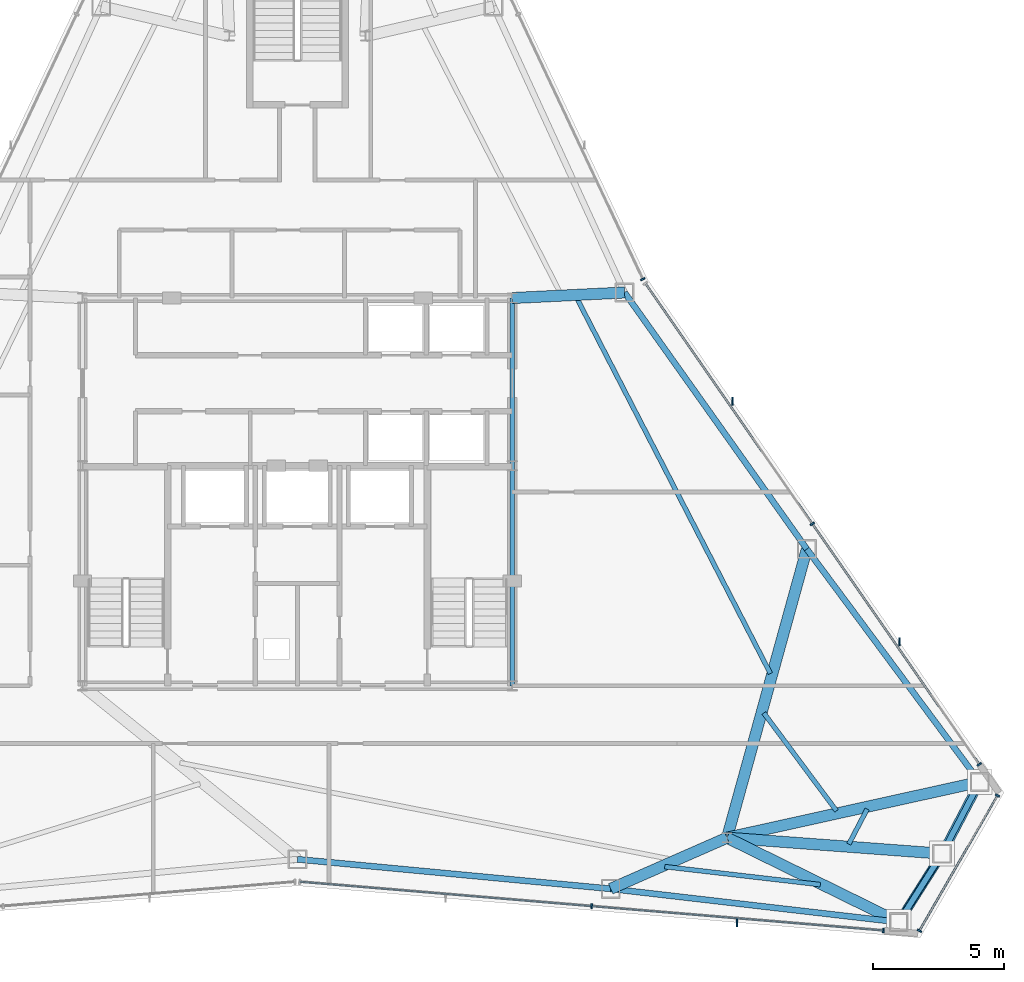
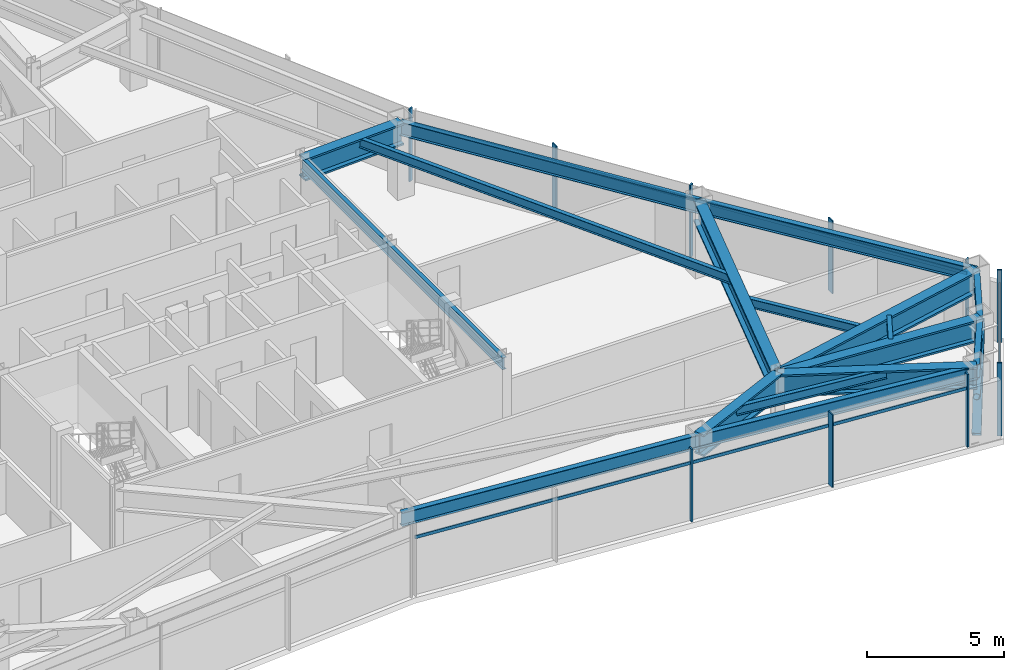
# One storey, part 6 of 12: 17 beams, 16 members, 4 elements without a shape of their own.
"""IFC4 building model written with IfcOpenShell, lengths in metres."""

import ifcopenshell
import ifcopenshell.guid

model = None  # the IFC model being written
_history = None  # IfcOwnerHistory: only IFC2X3 demands one
_inside = {}  # id of a spatial element -> (the spatial element, [elements in it])
_under = {}  # id of a project, library or spatial element -> (it, [spatial elements below it])
_declared = {}  # id of a project -> (the project, [libraries it declares])
_typed = {}  # id of a type object -> (the type object, [elements of that type])
_made_of = {}  # id of a material, layer set ... -> (it, [elements and type objects made of it])


def new_model(schema):
    """Start an empty IFC model of exactly this schema.

    Asked for "IFC4X3", IfcOpenShell would pick the latest addendum, in which some entities
    have other attributes; the version numbers below select the first issue.
    IFC2X3 requires an IfcOwnerHistory on every rooted entity: one is made here for all.
    """
    global model, _history
    if schema == "IFC4X3":
        model = ifcopenshell.file(schema_version=(4, 3, 0, 0))
    else:
        model = ifcopenshell.file(schema=schema)
    _inside.clear()
    _under.clear()
    _declared.clear()
    _typed.clear()
    _made_of.clear()
    _history = None
    if model.schema == "IFC2X3":
        org = make("IfcOrganization", Name="unknown")
        user = make(
            "IfcPersonAndOrganization",
            ThePerson=make("IfcPerson", FamilyName="unknown"),
            TheOrganization=org,
        )
        app = make(
            "IfcApplication",
            ApplicationDeveloper=org,
            Version="unknown",
            ApplicationFullName="unknown",
            ApplicationIdentifier="unknown",
        )
        _history = make(
            "IfcOwnerHistory",
            OwningUser=user,
            OwningApplication=app,
            ChangeAction="ADDED",
            CreationDate=0,
        )
    return model


def make(cls, **values):
    """One entity of the class cls with the attributes given. An attribute that is None is left unset."""
    return model.create_entity(
        cls, **{name: value for name, value in values.items() if value is not None}
    )


def rooted(cls, **values):
    """An entity with a GlobalId (a new one), such as an element, a storey or a relation."""
    return make(cls, GlobalId=ifcopenshell.guid.new(), OwnerHistory=_history, **values)


def si_unit(unit_type, name, prefix=None):
    """IfcSIUnit, for example si_unit("LENGTHUNIT", "METRE", prefix="MILLI")."""
    return make("IfcSIUnit", UnitType=unit_type, Prefix=prefix, Name=name)


def assignment(units):
    """IfcUnitAssignment: the units of a project."""
    return None if units is None else make("IfcUnitAssignment", Units=units)


def point(xyz):
    """IfcCartesianPoint."""
    return None if xyz is None else make("IfcCartesianPoint", Coordinates=xyz)


def direction(xyz):
    """IfcDirection."""
    return None if xyz is None else make("IfcDirection", DirectionRatios=xyz)


def frame(location, z_axis=None, x_axis=None):
    """IfcAxis2Placement3D, a coordinate frame: its origin and axes. An axis left out is left unset."""
    return make(
        "IfcAxis2Placement3D",
        Location=point(location),
        Axis=direction(z_axis),
        RefDirection=direction(x_axis),
    )


def frame_2d(location, x_axis=None):
    """IfcAxis2Placement2D, a coordinate frame in the plane: its origin and x axis."""
    return make(
        "IfcAxis2Placement2D", Location=point(location), RefDirection=direction(x_axis)
    )


def origin():
    """The frame at (0, 0, 0) with its axes left unset."""
    return frame((0.0, 0.0, 0.0))


def origin_2d():
    """The frame at (0, 0) in the plane with its x axis left unset."""
    return frame_2d((0.0, 0.0))


def place(relative_to, where):
    """IfcLocalPlacement: puts the frame where relative to a parent placement (None: the world)."""
    return make(
        "IfcLocalPlacement", PlacementRelTo=relative_to, RelativePlacement=where
    )


def context(
    kind, dimensions, precision=None, world=None, true_north=None, identifier=None
):
    """IfcGeometricRepresentationContext, for example the 3D "Model" context."""
    return make(
        "IfcGeometricRepresentationContext",
        ContextIdentifier=identifier,
        ContextType=kind,
        CoordinateSpaceDimension=dimensions,
        Precision=precision,
        WorldCoordinateSystem=world,
        TrueNorth=true_north,
    )


def subcontext(parent, identifier, kind, view, scale=None):
    """IfcGeometricRepresentationSubContext, for example "Body" below "Model"."""
    return make(
        "IfcGeometricRepresentationSubContext",
        ContextIdentifier=identifier,
        ContextType=kind,
        ParentContext=parent,
        TargetScale=scale,
        TargetView=view,
    )


def project(units=None, contexts=None):
    """IfcProject with its units and contexts."""
    return rooted(
        "IfcProject",
        Name="project",
        RepresentationContexts=contexts,
        UnitsInContext=assignment(units),
    )


def spatial(cls, under=None, at=None, **own):
    """A site, building, storey or space (cls), placed at a placement, below another one or the project."""
    s = rooted(cls, ObjectPlacement=at, **own)
    if under is not None:
        _under.setdefault(under.id(), (under, []))[1].append(s)
    return s


def profile(cls, at=None, kind="AREA", **sizes):
    """A parametric profile (cls). Its sizes go by their IFC names, for example OverallWidth=200.0."""
    return make(cls, ProfileType=kind, Position=at, **sizes)


def rectangle(**sizes):
    """IfcRectangleProfileDef."""
    return profile("IfcRectangleProfileDef", **sizes)


def hollow_rectangle(**sizes):
    """IfcRectangleHollowProfileDef."""
    return profile("IfcRectangleHollowProfileDef", **sizes)


def hollow_circle(**sizes):
    """IfcCircleHollowProfileDef."""
    return profile("IfcCircleHollowProfileDef", **sizes)


def i_section(**sizes):
    """IfcIShapeProfileDef."""
    return profile("IfcIShapeProfileDef", **sizes)


def extrude(swept, where, along, depth):
    """IfcExtrudedAreaSolid: the profile swept, set in the frame where, extruded along a direction by depth."""
    return make(
        "IfcExtrudedAreaSolid",
        SweptArea=swept,
        Position=where,
        ExtrudedDirection=direction(along),
        Depth=depth,
    )


def shape(context_of_items, identifier, shape_type, items):
    """IfcShapeRepresentation: the items that make up one representation, for example the "Body"."""
    return make(
        "IfcShapeRepresentation",
        ContextOfItems=context_of_items,
        RepresentationIdentifier=identifier,
        RepresentationType=shape_type,
        Items=items,
    )


def source(mapping_origin, context_of_items, identifier, shape_type, items):
    """IfcRepresentationMap: a shape defined once, which mapped items show again and again."""
    return make(
        "IfcRepresentationMap",
        MappingOrigin=mapping_origin,
        MappedRepresentation=shape(context_of_items, identifier, shape_type, items),
    )


def transform(
    local_origin,
    x_axis=None,
    y_axis=None,
    z_axis=None,
    scale=None,
    scale2=None,
    scale3=None,
    uniform=True,
):
    """IfcCartesianTransformationOperator3D, or its non-uniform kind. x_axis, y_axis, z_axis: its Axis1, 2, 3."""
    if uniform:
        return make(
            "IfcCartesianTransformationOperator3D",
            Axis1=direction(x_axis),
            Axis2=direction(y_axis),
            LocalOrigin=point(local_origin),
            Scale=scale,
            Axis3=direction(z_axis),
        )
    return make(
        "IfcCartesianTransformationOperator3DnonUniform",
        Axis1=direction(x_axis),
        Axis2=direction(y_axis),
        LocalOrigin=point(local_origin),
        Scale=scale,
        Axis3=direction(z_axis),
        Scale2=scale2,
        Scale3=scale3,
    )


def mapped(mapping_source, mapping_target):
    """IfcMappedItem: shows the shape of a source again, moved by a transform."""
    return make(
        "IfcMappedItem", MappingSource=mapping_source, MappingTarget=mapping_target
    )


def material(Name=None, Category=None):
    """IfcMaterial."""
    return make("IfcMaterial", Name=Name, Category=Category)


def layer(
    of_material, thickness, ventilated=None, Name=None, Category=None, Priority=None
):
    """IfcMaterialLayer: one layer of a wall or slab, of a material (None: an air gap)."""
    return make(
        "IfcMaterialLayer",
        Material=of_material,
        LayerThickness=thickness,
        IsVentilated=ventilated,
        Name=Name,
        Category=Category,
        Priority=Priority,
    )


def layer_set(layers, Name=None):
    """IfcMaterialLayerSet."""
    return make("IfcMaterialLayerSet", MaterialLayers=layers, LayerSetName=Name)


def material_profile(
    of_material, cross_section, Name=None, Category=None, Priority=None
):
    """IfcMaterialProfile: a cross section and its material."""
    return make(
        "IfcMaterialProfile",
        Name=Name,
        Material=of_material,
        Profile=cross_section,
        Priority=Priority,
        Category=Category,
    )


def profile_set(profiles, Name=None, composite=None):
    """IfcMaterialProfileSet."""
    return make(
        "IfcMaterialProfileSet",
        Name=Name,
        MaterialProfiles=profiles,
        CompositeProfile=composite,
    )


def made_of(thing, what):
    """Note that an element or type object is made of a material, layer set ...; save() writes the relation."""
    if what is not None:
        _made_of.setdefault(what.id(), (what, []))[1].append(thing)
    return thing


def type_object(cls, material=None, **own):
    """A type object (cls), such as IfcWallType, which elements share."""
    return made_of(rooted(cls, **own), material)


def type_shapes(of_type, sources):
    """Give a type object the sources (RepresentationMaps) that its elements show as mapped items."""
    of_type.RepresentationMaps = sources


def element(
    cls,
    number,
    at=None,
    inside=None,
    cuts=None,
    type_object=None,
    material=None,
    context=None,
    identifier="Body",
    shape_type=None,
    held_by="IfcProductDefinitionShape",
    body=None,
    shapes=None,
    **own,
):
    """One element of the class cls, such as IfcWall. Its Tag is "e" and its number.

    at: its placement. inside: the storey or other place that contains it. cuts: it is an
    opening in that element (IfcRelVoidsElement). A single representation is given by context,
    identifier, shape_type and body (its items); several are given by shapes. held_by: the class
    of the entity that holds the representations. save() writes the other relations.
    """
    e = rooted(cls, Tag="e%d" % number, ObjectPlacement=at, **own)
    if body is not None:
        shapes = [shape(context, identifier, shape_type, body)]
    if shapes is not None:
        e.Representation = make(held_by, Representations=shapes)
    if inside is not None:
        _inside.setdefault(inside.id(), (inside, []))[1].append(e)
    if cuts is not None:
        rooted(
            "IfcRelVoidsElement", RelatingBuildingElement=cuts, RelatedOpeningElement=e
        )
    if type_object is not None:
        _typed.setdefault(type_object.id(), (type_object, []))[1].append(e)
    return made_of(e, material)


def aggregate(whole, parts):
    """IfcRelAggregates: a whole, such as a stair, and the parts it consists of."""
    return rooted("IfcRelAggregates", RelatingObject=whole, RelatedObjects=parts)


def save(model, path):
    """Write the relations noted so far, then the file.

    IfcRelAggregates (storeys below a building ...), IfcRelContainedInSpatialStructure (elements
    in a storey), IfcRelDefinesByType, IfcRelAssociatesMaterial and IfcRelDeclares: one each for
    every whole, place, type object, material and project.
    """
    for whole, parts in _under.values():
        aggregate(whole, parts)
    for where, things in _inside.values():
        rooted(
            "IfcRelContainedInSpatialStructure",
            RelatedElements=things,
            RelatingStructure=where,
        )
    for kind, things in _typed.values():
        rooted("IfcRelDefinesByType", RelatedObjects=things, RelatingType=kind)
    for what, things in _made_of.values():
        rooted("IfcRelAssociatesMaterial", RelatedObjects=things, RelatingMaterial=what)
    for by, libraries in _declared.values():
        rooted("IfcRelDeclares", RelatingContext=by, RelatedDefinitions=libraries)
    model.write(path)


model = new_model("IFC4")

# Units and contexts
model_context = context("Model", 3, precision=1e-05, world=origin(), true_north=direction((0.0, 1.0)))
body_context = subcontext(model_context, "Body", "Model", "MODEL_VIEW")
ifc_project = project(units=[si_unit("LENGTHUNIT", "METRE"), si_unit("AREAUNIT", "SQUARE_METRE"), si_unit("VOLUMEUNIT", "CUBIC_METRE"), si_unit("PLANEANGLEUNIT", "RADIAN"), si_unit("MASSUNIT", "GRAM", prefix="KILO")], contexts=[model_context])

# Site, building, storey
site_placement = place(None, origin())
site = spatial("IfcSite", under=ifc_project, at=site_placement, CompositionType="ELEMENT")
building_placement = place(site_placement, origin())
building = spatial("IfcBuilding", under=site, at=building_placement, Name="Varakhsha Concourse Tower", CompositionType="ELEMENT")
storey_placement = place(building_placement, frame((0.0, 0.0, 232.89990234375)))
storey = spatial("IfcBuildingStorey", under=building, at=storey_placement, Name="L66", CompositionType="ELEMENT", Elevation=232.89990234375)

# Beams
ifc_material_1 = material(Name="Structural Steel ASTM A992 Grade 50", Category="steel")
ifc_material_profile_1 = material_profile(ifc_material_1, i_section(OverallWidth=0.177978515625, OverallDepth=0.406982421875, WebThickness=0.008056640625, FlangeThickness=0.012939453125, at=origin_2d()), Name="W16X40")
ifc_profile_set_1 = profile_set([ifc_material_profile_1], Name="Structural Steel ASTM A992 Grade 50")
beam_type_1 = type_object("IfcBeamType", Name="BM-JST-W16X40", PredefinedType="JOIST", material=ifc_profile_set_1)
beam_1_placement = place(storey_placement, frame((54.0224609375, 9.495361328125, 3.046630859375), z_axis=(0.993377246527, -0.114898416364, 0.0), x_axis=(0.114898416364, 0.993377246527, 0.0)))
element("IfcBeam", 1, at=beam_1_placement, inside=storey, type_object=beam_type_1, Name="BM-TJST-L66-12", PredefinedType="JOIST", context=body_context, shape_type="SweptSolid", body=[
    extrude(i_section(OverallWidth=0.177978515625, OverallDepth=0.406982421875, WebThickness=0.008056640625, FlangeThickness=0.012939453125, at=origin_2d()), origin(), (0.0, 0.0, 1.0), 5.979248046875),
])
beam_2_placement = place(storey_placement, frame((61.048828125, 10.356689453125, 3.046630859375), z_axis=(0.464314737721, 0.885670268404, 0.0), x_axis=(-0.885670268404, 0.464314737721, 0.0)))
element("IfcBeam", 2, at=beam_2_placement, inside=storey, type_object=beam_type_1, Name="BM-TJST-L66-14", PredefinedType="JOIST", context=body_context, shape_type="SweptSolid", body=[
    extrude(i_section(OverallWidth=0.177978515625, OverallDepth=0.406982421875, WebThickness=0.008056640625, FlangeThickness=0.012939453125, at=origin_2d()), origin(), (0.0, 0.0, 1.0), 1.51171875),
])
beam_3_placement = place(storey_placement, frame((60.57861328125, 11.625732421875, 3.046630859375), z_axis=(-0.59617998396, 0.802850812247, 0.0), x_axis=(-0.802850812247, -0.59617998396, 0.0)))
element("IfcBeam", 3, at=beam_3_placement, inside=storey, type_object=beam_type_1, Name="BM-TJST-L66-15", PredefinedType="JOIST", context=body_context, shape_type="SweptSolid", body=[
    extrude(i_section(OverallWidth=0.177978515625, OverallDepth=0.406982421875, WebThickness=0.008056640625, FlangeThickness=0.012939453125, at=origin_2d()), origin(), (0.0, 0.0, 1.0), 4.65087890625),
])
beam_4_placement = place(storey_placement, frame((58.0556640625, 16.867919921875, 3.046630859375), z_axis=(-0.458401838007, 0.888745044943, 0.0), x_axis=(-0.888745044943, -0.458401838007, 0.0)))
element("IfcBeam", 4, at=beam_4_placement, inside=storey, type_object=beam_type_1, Name="BM-TJST-L66-16", PredefinedType="JOIST", context=body_context, shape_type="SweptSolid", body=[
    extrude(i_section(OverallWidth=0.177978515625, OverallDepth=0.406982421875, WebThickness=0.008056640625, FlangeThickness=0.012939453125, at=origin_2d()), origin(), (0.0, 0.0, 1.0), 16.149169921875),
])
ifc_material_profile_2 = material_profile(ifc_material_1, i_section(OverallWidth=0.1669921875, OverallDepth=0.534912109375, WebThickness=0.010009765625, FlangeThickness=0.01708984375, at=origin_2d()), Name="W21X57")
ifc_profile_set_2 = profile_set([ifc_material_profile_2], Name="Structural Steel ASTM A992 Grade 50")
beam_type_2 = type_object("IfcBeamType", Name="BM-RAD-W21X57", PredefinedType="BEAM", material=ifc_profile_set_2)
beam_5_placement = place(storey_placement, frame((48.199951171875, 16.39990234375, 2.982666015625), z_axis=(0.0, 1.0, 0.0), x_axis=(-1.0, 0.0, 0.0)))
element("IfcBeam", 5, at=beam_5_placement, inside=storey, type_object=beam_type_2, Name="BM-TCORE-L66-CE", PredefinedType="BEAM", context=body_context, shape_type="SweptSolid", body=[
    extrude(i_section(OverallWidth=0.1669921875, OverallDepth=0.534912109375, WebThickness=0.010009765625, FlangeThickness=0.01708984375, at=origin_2d()), origin(), (0.0, 0.0, 1.0), 14.800048828125),
])
ifc_material_profile_3 = material_profile(ifc_material_1, i_section(OverallWidth=0.22900390625, OverallDepth=0.612060546875, WebThickness=0.011962890625, FlangeThickness=0.02001953125, at=origin_2d()), Name="W24X84")
ifc_profile_set_3 = profile_set([ifc_material_profile_3], Name="Structural Steel ASTM A992 Grade 50")
beam_type_3 = type_object("IfcBeamType", Name="BM-SPAN-W24X84", PredefinedType="SPANDREL", material=ifc_profile_set_3)
beam_6_placement = place(storey_placement, frame((40.0, 9.77783203125, 2.944091796875), z_axis=(0.995582012356, -0.09389598859, 0.0), x_axis=(0.09389598859, 0.995582012356, 0.0)))
element("IfcBeam", 6, at=beam_6_placement, inside=storey, type_object=beam_type_3, Name="BM-SPAN-L66-11", PredefinedType="SPANDREL", context=body_context, shape_type="SweptSolid", body=[
    extrude(i_section(OverallWidth=0.22900390625, OverallDepth=0.612060546875, WebThickness=0.011962890625, FlangeThickness=0.02001953125, at=origin_2d()), origin(), (0.0, 0.0, 1.0), 12.012451171875),
])
beam_7_placement = place(storey_placement, frame((51.95947265625, 8.64990234375, 2.944091796875), z_axis=(0.993379152974, -0.114881932593, 0.0), x_axis=(0.114881932593, 0.993379152974, 0.0)))
element("IfcBeam", 7, at=beam_7_placement, inside=storey, type_object=beam_type_3, Name="BM-SPAN-L66-12", PredefinedType="SPANDREL", context=body_context, shape_type="SweptSolid", body=[
    extrude(i_section(OverallWidth=0.22900390625, OverallDepth=0.612060546875, WebThickness=0.011962890625, FlangeThickness=0.02001953125, at=origin_2d()), origin(), (0.0, 0.0, 1.0), 11.06982421875),
])
beam_8_placement = place(storey_placement, frame((62.9560546875, 7.378173828125, 2.944091796875), z_axis=(0.534851104232, 0.844946327468, 0.0), x_axis=(-0.844946327468, 0.534851104232, 0.0)))
element("IfcBeam", 8, at=beam_8_placement, inside=storey, type_object=beam_type_3, Name="BM-SPAN-L66-13", PredefinedType="SPANDREL", context=body_context, shape_type="SweptSolid", body=[
    extrude(i_section(OverallWidth=0.22900390625, OverallDepth=0.612060546875, WebThickness=0.011962890625, FlangeThickness=0.02001953125, at=origin_2d()), origin(), (0.0, 0.0, 1.0), 3.092529296875),
])
beam_9_placement = place(storey_placement, frame((64.610107421875, 9.9912109375, 2.944091796875), z_axis=(0.46430782769, 0.88567389097, 0.0), x_axis=(-0.88567389097, 0.46430782769, 0.0)))
element("IfcBeam", 9, at=beam_9_placement, inside=storey, type_object=beam_type_3, Name="BM-SPAN-L66-14", PredefinedType="SPANDREL", context=body_context, shape_type="SweptSolid", body=[
    extrude(i_section(OverallWidth=0.22900390625, OverallDepth=0.612060546875, WebThickness=0.011962890625, FlangeThickness=0.02001953125, at=origin_2d()), origin(), (0.0, 0.0, 1.0), 3.0927734375),
])
beam_10_placement = place(storey_placement, frame((66.046142578125, 12.73046875, 2.944091796875), z_axis=(-0.596178624109, 0.802851822042, 0.0), x_axis=(-0.802851822042, -0.596178624109, 0.0)))
element("IfcBeam", 10, at=beam_10_placement, inside=storey, type_object=beam_type_3, Name="BM-SPAN-L66-15", PredefinedType="SPANDREL", context=body_context, shape_type="SweptSolid", body=[
    extrude(i_section(OverallWidth=0.22900390625, OverallDepth=0.612060546875, WebThickness=0.011962890625, FlangeThickness=0.02001953125, at=origin_2d()), origin(), (0.0, 0.0, 1.0), 11.06982421875),
])
beam_11_placement = place(storey_placement, frame((59.446533203125, 21.617919921875, 2.944091796875), z_axis=(-0.579107968435, 0.815250857648, 0.0), x_axis=(-0.815250857648, -0.579107968435, 0.0)))
element("IfcBeam", 11, at=beam_11_placement, inside=storey, type_object=beam_type_3, Name="BM-SPAN-L66-16", PredefinedType="SPANDREL", context=body_context, shape_type="SweptSolid", body=[
    extrude(i_section(OverallWidth=0.22900390625, OverallDepth=0.612060546875, WebThickness=0.011962890625, FlangeThickness=0.02001953125, at=origin_2d()), origin(), (0.0, 0.0, 1.0), 12.012451171875),
])
ifc_material_profile_4 = material_profile(ifc_material_1, i_section(OverallWidth=0.427978515625, OverallDepth=0.97509765625, WebThickness=0.050048828125, FlangeThickness=0.0810546875, at=origin_2d()), Name="W36X395")
ifc_profile_set_4 = profile_set([ifc_material_profile_4], Name="Structural Steel ASTM A992 Grade 50")
beam_type_4 = type_object("IfcBeamType", Name="BM-XFER-W36X395", PredefinedType="USERDEFINED", material=ifc_profile_set_4)
beam_12_placement = place(storey_placement, frame((56.39990234375, 10.60009765625, 2.7626953125), z_axis=(-0.915587981704, -0.402117703862, 0.0), x_axis=(0.402117703862, -0.915587981704, 0.0)))
element("IfcBeam", 12, at=beam_12_placement, inside=storey, type_object=beam_type_4, Name="L66 Radial Floor Girder 12", ObjectType="GIRDER", PredefinedType="USERDEFINED", context=body_context, shape_type="SweptSolid", body=[
    extrude(i_section(OverallWidth=0.427978515625, OverallDepth=0.97509765625, WebThickness=0.050048828125, FlangeThickness=0.0810546875, at=origin_2d()), origin(), (0.0, 0.0, 1.0), 4.849853515625),
])
beam_13_placement = place(storey_placement, frame((56.39990234375, 10.60009765625, 2.7626953125), z_axis=(0.897480760127, -0.441053608081, 0.0), x_axis=(0.441053608081, 0.897480760127, 0.0)))
element("IfcBeam", 13, at=beam_13_placement, inside=storey, type_object=beam_type_4, Name="L66 Radial Floor Girder 13", ObjectType="GIRDER", PredefinedType="USERDEFINED", context=body_context, shape_type="SweptSolid", body=[
    extrude(i_section(OverallWidth=0.427978515625, OverallDepth=0.97509765625, WebThickness=0.050048828125, FlangeThickness=0.0810546875, at=origin_2d()), origin(), (0.0, 0.0, 1.0), 7.30517578125),
])
beam_14_placement = place(storey_placement, frame((56.39990234375, 10.60009765625, 2.7626953125), z_axis=(0.997261277547, -0.073959071819, 0.0), x_axis=(0.073959071819, 0.997261277547, 0.0)))
element("IfcBeam", 14, at=beam_14_placement, inside=storey, type_object=beam_type_4, Name="L66 Radial Floor Girder 14", ObjectType="GIRDER", PredefinedType="USERDEFINED", context=body_context, shape_type="SweptSolid", body=[
    extrude(i_section(OverallWidth=0.427978515625, OverallDepth=0.97509765625, WebThickness=0.050048828125, FlangeThickness=0.0810546875, at=origin_2d()), origin(), (0.0, 0.0, 1.0), 8.232666015625),
])
beam_15_placement = place(storey_placement, frame((56.39990234375, 10.60009765625, 2.7626953125), z_axis=(0.976469998414, 0.215653291644, 0.0), x_axis=(-0.215653291644, 0.976469998414, 0.0)))
element("IfcBeam", 15, at=beam_15_placement, inside=storey, type_object=beam_type_4, Name="L66 Radial Floor Girder 15", ObjectType="GIRDER", PredefinedType="USERDEFINED", context=body_context, shape_type="SweptSolid", body=[
    extrude(i_section(OverallWidth=0.427978515625, OverallDepth=0.97509765625, WebThickness=0.050048828125, FlangeThickness=0.0810546875, at=origin_2d()), origin(), (0.0, 0.0, 1.0), 9.878662109375),
])
beam_16_placement = place(storey_placement, frame((56.39990234375, 10.60009765625, 2.7626953125), z_axis=(0.266516826979, 0.963830265626, 0.0), x_axis=(-0.963830265626, 0.266516826979, 0.0)))
element("IfcBeam", 16, at=beam_16_placement, inside=storey, type_object=beam_type_4, Name="L66 Radial Floor Girder 16", ObjectType="GIRDER", PredefinedType="USERDEFINED", context=body_context, shape_type="SweptSolid", body=[
    extrude(i_section(OverallWidth=0.427978515625, OverallDepth=0.97509765625, WebThickness=0.050048828125, FlangeThickness=0.0810546875, at=origin_2d()), origin(), (0.0, 0.0, 1.0), 11.431396484375),
])
beam_17_placement = place(storey_placement, frame((48.199951171875, 31.199951171875, 2.7626953125), z_axis=(0.998790595953, 0.049166507256, 0.0), x_axis=(-0.049166507256, 0.998790595953, 0.0)))
element("IfcBeam", 17, at=beam_17_placement, inside=storey, type_object=beam_type_4, Name="L66 Radial Floor Girder 17", ObjectType="GIRDER", PredefinedType="USERDEFINED", context=body_context, shape_type="SweptSolid", body=[
    extrude(i_section(OverallWidth=0.427978515625, OverallDepth=0.97509765625, WebThickness=0.050048828125, FlangeThickness=0.0810546875, at=origin_2d()), origin(), (0.0, 0.0, 1.0), 4.295166015625),
])

# Members
ifc_material_2 = material(Name="Structural Steel ASTM A500 Grade C", Category="steel")
ifc_material_profile_5 = material_profile(ifc_material_2, hollow_rectangle(XDim=0.35009765625, YDim=0.35009765625, WallThickness=0.01611328125, at=origin_2d()), Name="HSS 350x350x16")
ifc_profile_set_5 = profile_set([ifc_material_profile_5], Name="Structural Steel ASTM A500 Grade C")
member_type_1 = type_object("IfcMemberType", Name="MB-TUBE-HSS350", PredefinedType="BRACE", material=ifc_profile_set_5)
shared_shape_1 = source(origin(), body_context, "Body", "SweptSolid", [
    extrude(hollow_rectangle(XDim=0.35009765625, YDim=0.35009765625, WallThickness=0.01611328125, at=origin_2d()), origin(), (0.0, 0.0, 1.0), 4.192138671875),
])
member_1_placement = place(storey_placement, frame((62.9560546875, 7.378173828125, 0.1201171875), z_axis=(0.394569925979, 0.623333124392, 0.675107687372), x_axis=(-0.844946327468, 0.534851104232, 0.0)))
element("IfcMember", 18, at=member_1_placement, inside=storey, type_object=member_type_1, Name="L66 Wind-Corner Tube Brace B05", PredefinedType="BRACE", context=body_context, shape_type="MappedRepresentation", body=[
    mapped(shared_shape_1, transform((0.0, 0.0, 0.0), scale=1.0)),
])
shared_shape_2 = source(origin(), body_context, "Body", "SweptSolid", [
    extrude(hollow_rectangle(XDim=0.35009765625, YDim=0.35009765625, WallThickness=0.01611328125, at=origin_2d()), origin(), (0.0, 0.0, 1.0), 4.1923828125),
])
type_shapes(member_type_1, [shared_shape_1, shared_shape_2])
member_2_placement = place(storey_placement, frame((66.046142578125, 12.73046875, 0.1201171875), z_axis=(-0.342544113921, -0.653407847364, 0.675071636955), x_axis=(0.88567389097, -0.46430782769, 0.0)))
element("IfcMember", 19, at=member_2_placement, inside=storey, type_object=member_type_1, Name="L66 Wind-Corner Tube Brace B06", PredefinedType="BRACE", context=body_context, shape_type="MappedRepresentation", body=[
    mapped(shared_shape_2, transform((0.0, 0.0, 0.0), scale=1.0)),
])
ifc_material_profile_6 = material_profile(ifc_material_2, hollow_circle(Radius=0.136474609375, WallThickness=0.011962890625, at=origin_2d()), Name="CHS 273x12")
ifc_profile_set_6 = profile_set([ifc_material_profile_6], Name="Structural Steel ASTM A500 Grade C")
member_type_2 = type_object("IfcMemberType", Name="MB-WIND-CHS273", PredefinedType="COLLAR", material=ifc_profile_set_6)
shared_shape_3 = source(origin(), body_context, "Body", "SweptSolid", [
    extrude(hollow_circle(Radius=0.136474609375, WallThickness=0.011962890625, at=origin_2d()), origin(), (0.0, 0.0, 1.0), 3.092529296875),
])
type_shapes(member_type_2, [shared_shape_3])
member_3_placement = place(storey_placement, frame((62.9560546875, 7.378173828125, 1.800048828125), z_axis=(0.534851104232, 0.844946327468, 0.0), x_axis=(-0.844946327468, 0.534851104232, 0.0)))
element("IfcMember", 20, at=member_3_placement, inside=storey, type_object=member_type_2, Name="L66 Wind-Corner Collar Tie 3", PredefinedType="COLLAR", context=body_context, shape_type="MappedRepresentation", body=[
    mapped(shared_shape_3, transform((0.0, 0.0, 0.0), scale=1.0)),
])

# Curtain wall, members
ifc_material_3 = material(Name="Anodised Bronze Architectural Aluminium AA 6063-T6", Category="aluminium")
ifc_layer = layer(ifc_material_3, 0.199951171875, Name="CW-SYS-05")
ifc_layer_set = layer_set([ifc_layer], Name="Anodised Bronze Architectural Aluminium AA 6063-T6")
curtain_wall_type = type_object("IfcCurtainWallType", Name="CW-SYS-05", PredefinedType="NOTDEFINED", material=ifc_layer_set)
curtain_wall_1_placement = place(storey_placement, origin())
curtain_wall_1 = element("IfcCurtainWall", 21, at=curtain_wall_1_placement, inside=storey, type_object=curtain_wall_type, Name="L66 Crystal Curtain Wall F6", PredefinedType="NOTDEFINED")
ifc_material_profile_7 = material_profile(ifc_material_3, rectangle(XDim=0.06494140625, YDim=0.179931640625, at=origin_2d()), Name="CWM-180X65")
ifc_profile_set_7 = profile_set([ifc_material_profile_7], Name="Anodised Bronze Architectural Aluminium AA 6063-T6")
member_type_3 = type_object("IfcMemberType", Name="CWM-180X65", PredefinedType="MULLION", material=ifc_profile_set_7)
shared_shape_4 = source(origin(), body_context, "Body", "SweptSolid", [
    extrude(rectangle(XDim=0.06494140625, YDim=0.179931640625, at=origin_2d()), origin(), (0.0, 0.0, 1.0), 3.25),
])
type_shapes(member_type_3, [shared_shape_4])
member_4_placement = place(storey_placement, frame((62.37060546875, 7.0576171875, 0.0), z_axis=(0.0, 0.0, 1.0), x_axis=(-0.996528985157, 0.083246511889, 0.0)))
member_4 = element("IfcMember", 22, at=member_4_placement, type_object=member_type_3, Name="CW-L66-F6 Mullion 00", PredefinedType="MULLION", context=body_context, shape_type="MappedRepresentation", body=[
    mapped(shared_shape_4, transform((0.0, 0.0, 0.0), scale=1.0)),
])
member_5_placement = place(storey_placement, frame((51.231689453125, 7.98828125, 0.0), z_axis=(0.0, 0.0, 1.0), x_axis=(-0.996528985157, 0.083246511889, 0.0)))
member_5 = element("IfcMember", 23, at=member_5_placement, type_object=member_type_3, Name="CW-L66-F6 Mullion 01", PredefinedType="MULLION", context=body_context, shape_type="MappedRepresentation", body=[
    mapped(shared_shape_4, transform((0.0, 0.0, 0.0), scale=1.0)),
])

curtain_wall_2_placement = place(storey_placement, origin())
curtain_wall_2 = element("IfcCurtainWall", 24, at=curtain_wall_2_placement, inside=storey, type_object=curtain_wall_type, Name="L66 Chamfer Curtain Wall F7", PredefinedType="NOTDEFINED")
member_6_placement = place(storey_placement, frame((66.7236328125, 12.212158203125, 0.0), z_axis=(0.0, 0.0, 1.0), x_axis=(-0.49999395399, -0.866028894422, 0.0)))
member_6 = element("IfcMember", 25, at=member_6_placement, type_object=member_type_3, Name="CW-L66-F7 Mullion 00", PredefinedType="MULLION", context=body_context, shape_type="MappedRepresentation", body=[
    mapped(shared_shape_4, transform((0.0, 0.0, 0.0), scale=1.0)),
])
member_7_placement = place(storey_placement, frame((63.74365234375, 7.050537109375, 0.0), z_axis=(0.0, 0.0, 1.0), x_axis=(-0.49999395399, -0.866028894422, 0.0)))
member_7 = element("IfcMember", 26, at=member_7_placement, type_object=member_type_3, Name="CW-L66-F7 Mullion 01", PredefinedType="MULLION", context=body_context, shape_type="MappedRepresentation", body=[
    mapped(shared_shape_4, transform((0.0, 0.0, 0.0), scale=1.0)),
])

curtain_wall_3_placement = place(storey_placement, origin())
curtain_wall_3 = element("IfcCurtainWall", 27, at=curtain_wall_3_placement, inside=storey, type_object=curtain_wall_type, Name="L66 Crystal Curtain Wall F8", PredefinedType="NOTDEFINED")
member_8_placement = place(storey_placement, frame((59.65576171875, 22.578857421875, 0.0), z_axis=(0.0, 0.0, 1.0), x_axis=(0.570360953861, -0.821394169879, 0.0)))
member_8 = element("IfcMember", 28, at=member_8_placement, type_object=member_type_3, Name="CW-L66-F8 Mullion 01", PredefinedType="MULLION", context=body_context, shape_type="MappedRepresentation", body=[
    mapped(shared_shape_4, transform((0.0, 0.0, 0.0), scale=1.0)),
])
member_9_placement = place(storey_placement, frame((66.031005859375, 13.397705078125, 0.0), z_axis=(0.0, 0.0, 1.0), x_axis=(0.570360953861, -0.821394169879, 0.0)))
member_9 = element("IfcMember", 29, at=member_9_placement, type_object=member_type_3, Name="CW-L66-F8 Mullion 02", PredefinedType="MULLION", context=body_context, shape_type="MappedRepresentation", body=[
    mapped(shared_shape_4, transform((0.0, 0.0, 0.0), scale=1.0)),
])

# Curtain wall, member
curtain_wall_4_placement = place(storey_placement, origin())
curtain_wall_4 = element("IfcCurtainWall", 30, at=curtain_wall_4_placement, inside=storey, type_object=curtain_wall_type, Name="L66 Crystal Curtain Wall F9", PredefinedType="NOTDEFINED")
member_10_placement = place(storey_placement, frame((53.1875, 31.92138671875, 0.0), z_axis=(0.0, 0.0, 1.0), x_axis=(0.426172477405, -0.904641928888, 0.0)))
member_10 = element("IfcMember", 31, at=member_10_placement, type_object=member_type_3, Name="CW-L66-F9 Mullion 02", PredefinedType="MULLION", context=body_context, shape_type="MappedRepresentation", body=[
    mapped(shared_shape_4, transform((0.0, 0.0, 0.0), scale=1.0)),
])
aggregate(curtain_wall_4, [member_10])

# Member
ifc_material_profile_8 = material_profile(ifc_material_3, rectangle(XDim=0.054931640625, YDim=0.300048828125, at=origin_2d()), Name="FIN-BRZ-300")
ifc_profile_set_8 = profile_set([ifc_material_profile_8], Name="Anodised Bronze Architectural Aluminium AA 6063-T6")
member_type_4 = type_object("IfcMemberType", Name="FIN-BRZ-300", PredefinedType="USERDEFINED", material=ifc_profile_set_8)
shared_shape_5 = source(origin(), body_context, "Body", "SweptSolid", [
    extrude(rectangle(XDim=0.054931640625, YDim=0.300048828125, at=origin_2d()), origin(), (0.0, 0.0, 1.0), 3.25),
])
type_shapes(member_type_4, [shared_shape_5])
member_11_placement = place(storey_placement, frame((56.78759765625, 7.3583984375, 0.0), z_axis=(0.0, 0.0, 1.0), x_axis=(1.0, 0.0, 0.0)))
member_11 = element("IfcMember", 32, at=member_11_placement, type_object=member_type_4, Name="L66 Anodised Bronze Solar Fin F6-1", ObjectType="SOLAR FIN", PredefinedType="USERDEFINED", context=body_context, shape_type="MappedRepresentation", body=[
    mapped(shared_shape_5, transform((0.0, 0.0, 0.0), scale=1.0)),
])

member_12_placement = place(storey_placement, frame((56.603759765625, 27.263671875, 0.0), z_axis=(0.0, 0.0, 1.0), x_axis=(1.0, 0.0, 0.0)))
member_12 = element("IfcMember", 33, at=member_12_placement, type_object=member_type_4, Name="L66 Anodised Bronze Solar Fin F8-1", ObjectType="SOLAR FIN", PredefinedType="USERDEFINED", context=body_context, shape_type="MappedRepresentation", body=[
    mapped(shared_shape_5, transform((0.0, 0.0, 0.0), scale=1.0)),
])

member_13_placement = place(storey_placement, frame((62.97900390625, 18.08251953125, 0.0), z_axis=(0.0, 0.0, 1.0), x_axis=(1.0, 0.0, 0.0)))
member_13 = element("IfcMember", 34, at=member_13_placement, type_object=member_type_4, Name="L66 Anodised Bronze Solar Fin F8-2", ObjectType="SOLAR FIN", PredefinedType="USERDEFINED", context=body_context, shape_type="MappedRepresentation", body=[
    mapped(shared_shape_5, transform((0.0, 0.0, 0.0), scale=1.0)),
])

ifc_material_profile_9 = material_profile(ifc_material_3, rectangle(XDim=0.06005859375, YDim=0.139892578125, at=origin_2d()), Name="CWT-140X60")
ifc_profile_set_9 = profile_set([ifc_material_profile_9], Name="Anodised Bronze Architectural Aluminium AA 6063-T6")
member_type_5 = type_object("IfcMemberType", Name="CWT-140X60", PredefinedType="USERDEFINED", material=ifc_profile_set_9)
shared_shape_6 = source(origin(), body_context, "Body", "SweptSolid", [
    extrude(rectangle(XDim=0.06005859375, YDim=0.139892578125, at=origin_2d()), origin(), (0.0, 0.0, 1.0), 22.35498046875),
])
member_14_placement = place(storey_placement, frame((53.280517578125, 31.760009765625, 2.60009765625), z_axis=(0.570362244302, -0.821393273819, 0.0), x_axis=(0.821393273819, 0.570362244302, 0.0)))
member_14 = element("IfcMember", 35, at=member_14_placement, type_object=member_type_5, Name="CW-L66-F8 Transom 01", ObjectType="TRANSOM", PredefinedType="USERDEFINED", context=body_context, shape_type="MappedRepresentation", body=[
    mapped(shared_shape_6, transform((0.0, 0.0, 0.0), scale=1.0)),
])

aggregate(curtain_wall_3, [member_8, member_9, member_14, member_12, member_13])

shared_shape_7 = source(origin(), body_context, "Body", "SweptSolid", [
    extrude(rectangle(XDim=0.06005859375, YDim=0.139892578125, at=origin_2d()), origin(), (0.0, 0.0, 1.0), 22.355224609375),
])
member_15_placement = place(storey_placement, frame((62.37060546875, 7.0576171875, 2.60009765625), z_axis=(-0.996528640141, 0.083250641912, 0.0), x_axis=(-0.083250641912, -0.996528640141, 0.0)))
member_15 = element("IfcMember", 36, at=member_15_placement, type_object=member_type_5, Name="CW-L66-F6 Transom 01", ObjectType="TRANSOM", PredefinedType="USERDEFINED", context=body_context, shape_type="MappedRepresentation", body=[
    mapped(shared_shape_7, transform((0.0, 0.0, 0.0), scale=1.0)),
])

aggregate(curtain_wall_1, [member_4, member_5, member_15, member_11])

shared_shape_8 = source(origin(), body_context, "Body", "SweptSolid", [
    extrude(rectangle(XDim=0.06005859375, YDim=0.139892578125, at=origin_2d()), origin(), (0.0, 0.0, 1.0), 5.960205078125),
])
type_shapes(member_type_5, [shared_shape_6, shared_shape_7, shared_shape_8])
member_16_placement = place(storey_placement, frame((66.7236328125, 12.212158203125, 2.60009765625), z_axis=(-0.499989573202, -0.866031423615, 0.0), x_axis=(0.866031423615, -0.499989573202, 0.0)))
member_16 = element("IfcMember", 37, at=member_16_placement, type_object=member_type_5, Name="CW-L66-F7 Transom 01", ObjectType="TRANSOM", PredefinedType="USERDEFINED", context=body_context, shape_type="MappedRepresentation", body=[
    mapped(shared_shape_8, transform((0.0, 0.0, 0.0), scale=1.0)),
])

aggregate(curtain_wall_2, [member_6, member_7, member_16])

save(model, "model.ifc")
